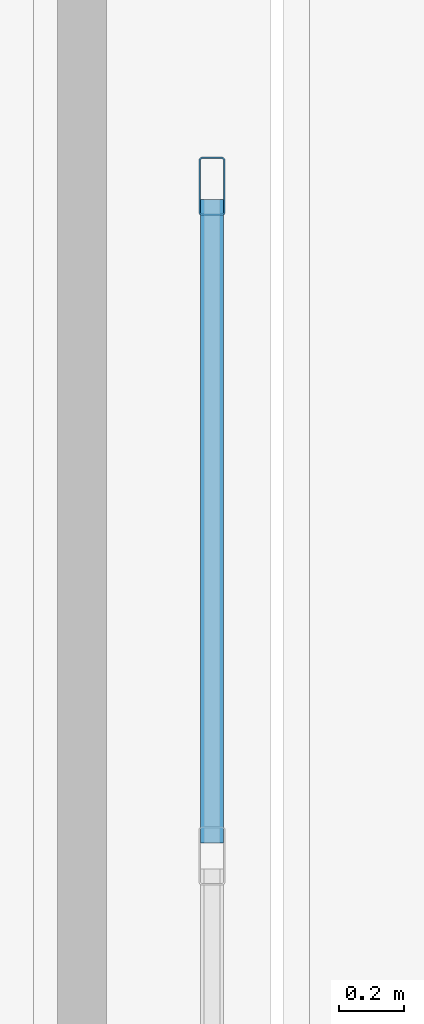
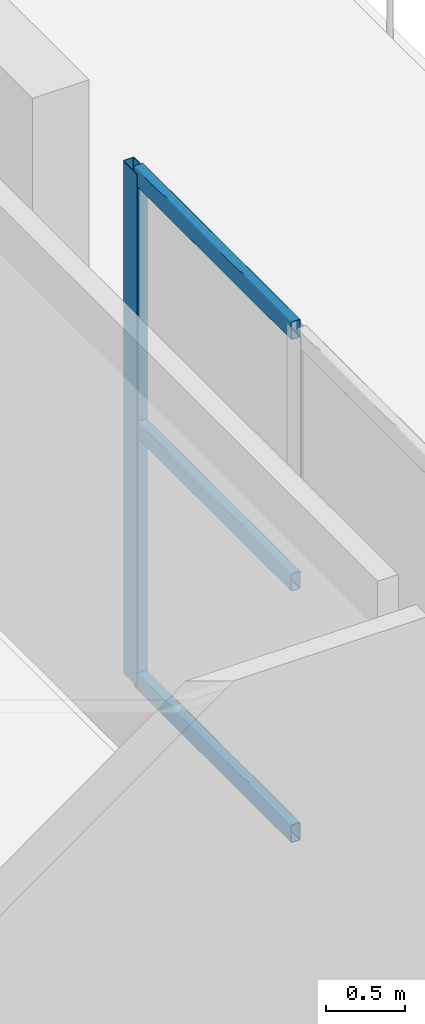
# One storey, part 5 of 31: 4 members, 1 element without a shape of its own.
"""IFC4 building model written with IfcOpenShell, lengths in metres."""

from ifc_helpers import new_model, si_unit, direction, frame, origin, origin_2d, place, context, subcontext, project, spatial, hollow_rectangle, extrude, material, layer, layer_set, material_profile, profile_set, type_object, element, aggregate, save


model = new_model("IFC4")

# Units and contexts
model_context = context("Model", 3, precision=1e-05, world=origin(), true_north=direction((0.0, 1.0)))
body_context = subcontext(model_context, "Body", "Model", "MODEL_VIEW")
ifc_project = project(units=[si_unit("LENGTHUNIT", "METRE"), si_unit("AREAUNIT", "SQUARE_METRE"), si_unit("VOLUMEUNIT", "CUBIC_METRE"), si_unit("PLANEANGLEUNIT", "RADIAN"), si_unit("MASSUNIT", "GRAM", prefix="KILO")], contexts=[model_context])

# Site, building, storey
site_placement = place(None, origin())
site = spatial("IfcSite", under=ifc_project, at=site_placement, CompositionType="ELEMENT")
building_placement = place(site_placement, origin())
building = spatial("IfcBuilding", under=site, at=building_placement, Name="Tarnavel Promenade Courthouse", CompositionType="ELEMENT")
storey_placement = place(building_placement, frame((0.0, 0.0, 18.60009765625)))
storey = spatial("IfcBuildingStorey", under=building, at=storey_placement, Name="L05", CompositionType="ELEMENT", Elevation=18.60009765625)

# Curtain wall, members
ifc_material_1 = material(Name="Thermally Broken Anodised Aluminium Curtain Wall System", Category="aluminium")
ifc_layer = layer(ifc_material_1, 0.195068359375)
ifc_layer_set = layer_set([ifc_layer], Name="Thermally Broken Anodised Aluminium Curtain Wall System")
curtain_wall_type = type_object("IfcCurtainWallType", Name="Thermally Broken Aluminium Triple-Glazed Curtain Wall CW-TER", PredefinedType="NOTDEFINED", material=ifc_layer_set)
curtain_wall_placement = place(storey_placement, origin())
curtain_wall = element("IfcCurtainWall", 1, at=curtain_wall_placement, inside=storey, type_object=curtain_wall_type, Name="L05 Library Terrace Glazed Bay 184", PredefinedType="NOTDEFINED")
ifc_material_2 = material(Name="Thermally Broken Anodised Aluminium Frame", Category="aluminium")
ifc_material_profile_1 = material_profile(ifc_material_2, hollow_rectangle(XDim=0.080078125, YDim=0.179931640625, WallThickness=0.0048828125, InnerFilletRadius=0.0048828125, OuterFilletRadius=0.010009765625, at=origin_2d()), Name="CWM 180x80x5")
ifc_profile_set_1 = profile_set([ifc_material_profile_1], Name="Thermally Broken Anodised Aluminium Frame")
member_type_1 = type_object("IfcMemberType", Name="Thermally Broken Anodised Aluminium CWM-155 (CWM 180x80x5)", PredefinedType="MULLION", material=ifc_profile_set_1)
member_1_placement = place(storey_placement, frame((33.39990234375, 55.860107421875, 0.0), z_axis=(0.0, 0.0, 1.0), x_axis=(-1.0, 0.0, 0.0)))
member_1 = element("IfcMember", 2, at=member_1_placement, type_object=member_type_1, Name="CW-06 mullion 3", PredefinedType="MULLION", context=body_context, shape_type="SweptSolid", body=[
    extrude(hollow_rectangle(XDim=0.080078125, YDim=0.179931640625, WallThickness=0.0048828125, InnerFilletRadius=0.0048828125, OuterFilletRadius=0.010009765625, at=origin_2d()), origin(), (0.0, 0.0, 1.0), 3.93994140625),
])
ifc_material_profile_2 = material_profile(ifc_material_2, hollow_rectangle(XDim=0.070068359375, YDim=0.139892578125, WallThickness=0.0048828125, InnerFilletRadius=0.0048828125, OuterFilletRadius=0.010009765625, at=origin_2d()), Name="CWT 140x70x5")
ifc_profile_set_2 = profile_set([ifc_material_profile_2], Name="Thermally Broken Anodised Aluminium Frame")
member_type_2 = type_object("IfcMemberType", Name="Thermally Broken Anodised Aluminium CWT-125 (CWT 140x70x5)", PredefinedType="USERDEFINED", material=ifc_profile_set_2)
member_2_placement = place(storey_placement, frame((33.39990234375, 53.840087890625, 0.034912109375), z_axis=(0.0, 1.0, 0.0), x_axis=(-1.0, 0.0, 0.0)))
member_2 = element("IfcMember", 3, at=member_2_placement, type_object=member_type_2, Name="CW-06 transom 2.1", ObjectType="TRANSOM", PredefinedType="USERDEFINED", context=body_context, shape_type="SweptSolid", body=[
    extrude(hollow_rectangle(XDim=0.070068359375, YDim=0.139892578125, WallThickness=0.0048828125, InnerFilletRadius=0.0048828125, OuterFilletRadius=0.010009765625, at=origin_2d()), origin(), (0.0, 0.0, 1.0), 1.97998046875),
])
member_3_placement = place(storey_placement, frame((33.39990234375, 53.840087890625, 1.969970703125), z_axis=(0.0, 1.0, 0.0), x_axis=(-1.0, 0.0, 0.0)))
member_3 = element("IfcMember", 4, at=member_3_placement, type_object=member_type_2, Name="CW-06 transom 2.2", ObjectType="TRANSOM", PredefinedType="USERDEFINED", context=body_context, shape_type="SweptSolid", body=[
    extrude(hollow_rectangle(XDim=0.070068359375, YDim=0.139892578125, WallThickness=0.0048828125, InnerFilletRadius=0.0048828125, OuterFilletRadius=0.010009765625, at=origin_2d()), origin(), (0.0, 0.0, 1.0), 1.97998046875),
])
member_4_placement = place(storey_placement, frame((33.39990234375, 53.840087890625, 3.90478515625), z_axis=(0.0, 1.0, 0.0), x_axis=(-1.0, 0.0, 0.0)))
member_4 = element("IfcMember", 5, at=member_4_placement, type_object=member_type_2, Name="CW-06 transom 2.3", ObjectType="TRANSOM", PredefinedType="USERDEFINED", context=body_context, shape_type="SweptSolid", body=[
    extrude(hollow_rectangle(XDim=0.070068359375, YDim=0.139892578125, WallThickness=0.0048828125, InnerFilletRadius=0.0048828125, OuterFilletRadius=0.010009765625, at=origin_2d()), origin(), (0.0, 0.0, 1.0), 1.97998046875),
])
aggregate(curtain_wall, [member_1, member_2, member_3, member_4])

save(model, "model.ifc")
